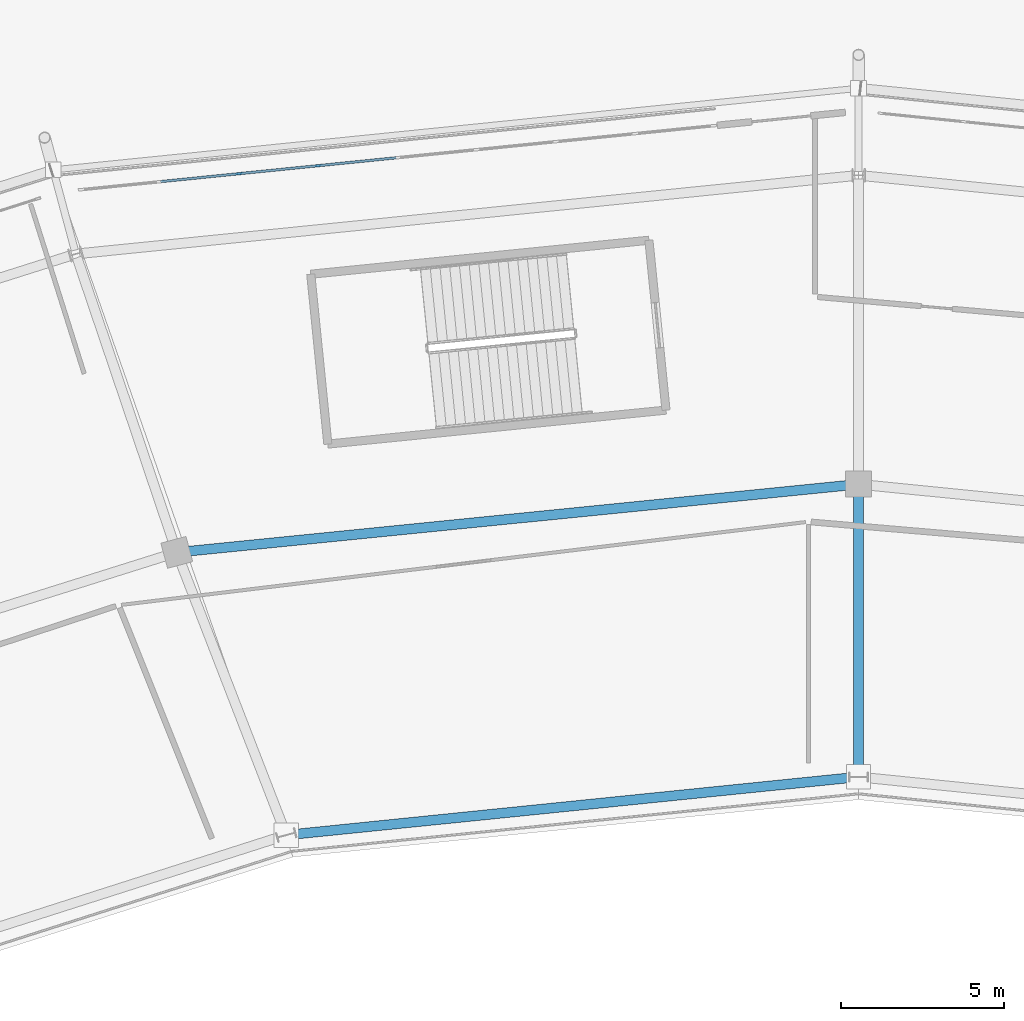
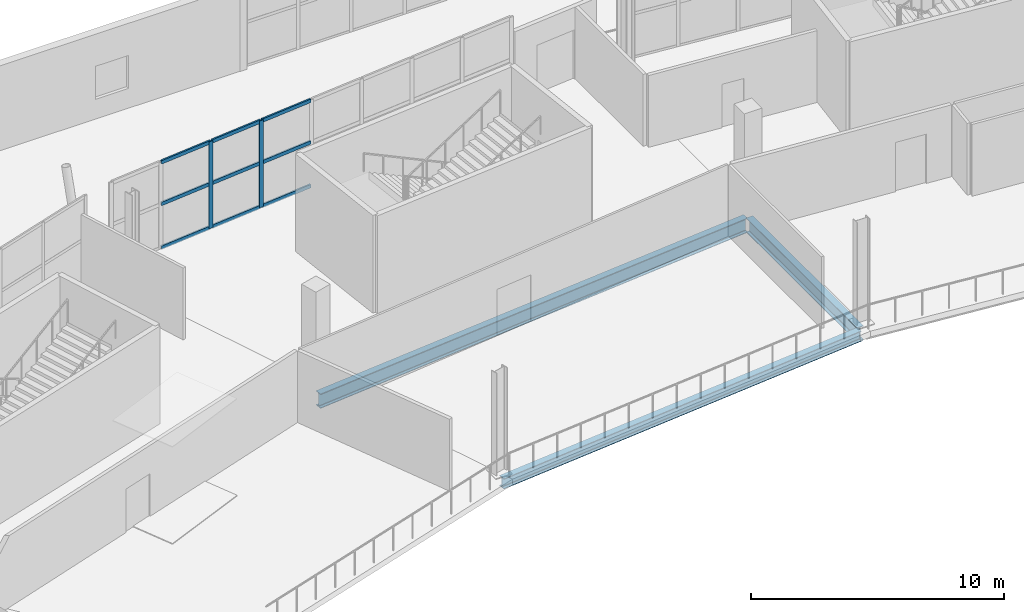
# One storey, part 75 of 179: 11 members, 3 beams, 1 element without a shape of its own.
"""IFC4 building model written with IfcOpenShell, lengths in metres."""

import ifcopenshell
import ifcopenshell.guid

model = None  # the IFC model being written
_history = None  # IfcOwnerHistory: only IFC2X3 demands one
_inside = {}  # id of a spatial element -> (the spatial element, [elements in it])
_under = {}  # id of a project, library or spatial element -> (it, [spatial elements below it])
_declared = {}  # id of a project -> (the project, [libraries it declares])
_typed = {}  # id of a type object -> (the type object, [elements of that type])
_made_of = {}  # id of a material, layer set ... -> (it, [elements and type objects made of it])


def new_model(schema):
    """Start an empty IFC model of exactly this schema.

    Asked for "IFC4X3", IfcOpenShell would pick the latest addendum, in which some entities
    have other attributes; the version numbers below select the first issue.
    IFC2X3 requires an IfcOwnerHistory on every rooted entity: one is made here for all.
    """
    global model, _history
    if schema == "IFC4X3":
        model = ifcopenshell.file(schema_version=(4, 3, 0, 0))
    else:
        model = ifcopenshell.file(schema=schema)
    _inside.clear()
    _under.clear()
    _declared.clear()
    _typed.clear()
    _made_of.clear()
    _history = None
    if model.schema == "IFC2X3":
        org = make("IfcOrganization", Name="unknown")
        user = make(
            "IfcPersonAndOrganization",
            ThePerson=make("IfcPerson", FamilyName="unknown"),
            TheOrganization=org,
        )
        app = make(
            "IfcApplication",
            ApplicationDeveloper=org,
            Version="unknown",
            ApplicationFullName="unknown",
            ApplicationIdentifier="unknown",
        )
        _history = make(
            "IfcOwnerHistory",
            OwningUser=user,
            OwningApplication=app,
            ChangeAction="ADDED",
            CreationDate=0,
        )
    return model


def make(cls, **values):
    """One entity of the class cls with the attributes given. An attribute that is None is left unset."""
    return model.create_entity(
        cls, **{name: value for name, value in values.items() if value is not None}
    )


def rooted(cls, **values):
    """An entity with a GlobalId (a new one), such as an element, a storey or a relation."""
    return make(cls, GlobalId=ifcopenshell.guid.new(), OwnerHistory=_history, **values)


def si_unit(unit_type, name, prefix=None):
    """IfcSIUnit, for example si_unit("LENGTHUNIT", "METRE", prefix="MILLI")."""
    return make("IfcSIUnit", UnitType=unit_type, Prefix=prefix, Name=name)


def assignment(units):
    """IfcUnitAssignment: the units of a project."""
    return None if units is None else make("IfcUnitAssignment", Units=units)


def point(xyz):
    """IfcCartesianPoint."""
    return None if xyz is None else make("IfcCartesianPoint", Coordinates=xyz)


def direction(xyz):
    """IfcDirection."""
    return None if xyz is None else make("IfcDirection", DirectionRatios=xyz)


def frame(location, z_axis=None, x_axis=None):
    """IfcAxis2Placement3D, a coordinate frame: its origin and axes. An axis left out is left unset."""
    return make(
        "IfcAxis2Placement3D",
        Location=point(location),
        Axis=direction(z_axis),
        RefDirection=direction(x_axis),
    )


def frame_2d(location, x_axis=None):
    """IfcAxis2Placement2D, a coordinate frame in the plane: its origin and x axis."""
    return make(
        "IfcAxis2Placement2D", Location=point(location), RefDirection=direction(x_axis)
    )


def origin():
    """The frame at (0, 0, 0) with its axes left unset."""
    return frame((0.0, 0.0, 0.0))


def origin_2d():
    """The frame at (0, 0) in the plane with its x axis left unset."""
    return frame_2d((0.0, 0.0))


def place(relative_to, where):
    """IfcLocalPlacement: puts the frame where relative to a parent placement (None: the world)."""
    return make(
        "IfcLocalPlacement", PlacementRelTo=relative_to, RelativePlacement=where
    )


def context(
    kind, dimensions, precision=None, world=None, true_north=None, identifier=None
):
    """IfcGeometricRepresentationContext, for example the 3D "Model" context."""
    return make(
        "IfcGeometricRepresentationContext",
        ContextIdentifier=identifier,
        ContextType=kind,
        CoordinateSpaceDimension=dimensions,
        Precision=precision,
        WorldCoordinateSystem=world,
        TrueNorth=true_north,
    )


def subcontext(parent, identifier, kind, view, scale=None):
    """IfcGeometricRepresentationSubContext, for example "Body" below "Model"."""
    return make(
        "IfcGeometricRepresentationSubContext",
        ContextIdentifier=identifier,
        ContextType=kind,
        ParentContext=parent,
        TargetScale=scale,
        TargetView=view,
    )


def project(units=None, contexts=None):
    """IfcProject with its units and contexts."""
    return rooted(
        "IfcProject",
        Name="project",
        RepresentationContexts=contexts,
        UnitsInContext=assignment(units),
    )


def spatial(cls, under=None, at=None, **own):
    """A site, building, storey or space (cls), placed at a placement, below another one or the project."""
    s = rooted(cls, ObjectPlacement=at, **own)
    if under is not None:
        _under.setdefault(under.id(), (under, []))[1].append(s)
    return s


def profile(cls, at=None, kind="AREA", **sizes):
    """A parametric profile (cls). Its sizes go by their IFC names, for example OverallWidth=200.0."""
    return make(cls, ProfileType=kind, Position=at, **sizes)


def rectangle(**sizes):
    """IfcRectangleProfileDef."""
    return profile("IfcRectangleProfileDef", **sizes)


def i_section(**sizes):
    """IfcIShapeProfileDef."""
    return profile("IfcIShapeProfileDef", **sizes)


def extrude(swept, where, along, depth):
    """IfcExtrudedAreaSolid: the profile swept, set in the frame where, extruded along a direction by depth."""
    return make(
        "IfcExtrudedAreaSolid",
        SweptArea=swept,
        Position=where,
        ExtrudedDirection=direction(along),
        Depth=depth,
    )


def shape(context_of_items, identifier, shape_type, items):
    """IfcShapeRepresentation: the items that make up one representation, for example the "Body"."""
    return make(
        "IfcShapeRepresentation",
        ContextOfItems=context_of_items,
        RepresentationIdentifier=identifier,
        RepresentationType=shape_type,
        Items=items,
    )


def material(Name=None, Category=None):
    """IfcMaterial."""
    return make("IfcMaterial", Name=Name, Category=Category)


def material_profile(
    of_material, cross_section, Name=None, Category=None, Priority=None
):
    """IfcMaterialProfile: a cross section and its material."""
    return make(
        "IfcMaterialProfile",
        Name=Name,
        Material=of_material,
        Profile=cross_section,
        Priority=Priority,
        Category=Category,
    )


def profile_set(profiles, Name=None, composite=None):
    """IfcMaterialProfileSet."""
    return make(
        "IfcMaterialProfileSet",
        Name=Name,
        MaterialProfiles=profiles,
        CompositeProfile=composite,
    )


def made_of(thing, what):
    """Note that an element or type object is made of a material, layer set ...; save() writes the relation."""
    if what is not None:
        _made_of.setdefault(what.id(), (what, []))[1].append(thing)
    return thing


def type_object(cls, material=None, **own):
    """A type object (cls), such as IfcWallType, which elements share."""
    return made_of(rooted(cls, **own), material)


def element(
    cls,
    number,
    at=None,
    inside=None,
    cuts=None,
    type_object=None,
    material=None,
    context=None,
    identifier="Body",
    shape_type=None,
    held_by="IfcProductDefinitionShape",
    body=None,
    shapes=None,
    **own,
):
    """One element of the class cls, such as IfcWall. Its Tag is "e" and its number.

    at: its placement. inside: the storey or other place that contains it. cuts: it is an
    opening in that element (IfcRelVoidsElement). A single representation is given by context,
    identifier, shape_type and body (its items); several are given by shapes. held_by: the class
    of the entity that holds the representations. save() writes the other relations.
    """
    e = rooted(cls, Tag="e%d" % number, ObjectPlacement=at, **own)
    if body is not None:
        shapes = [shape(context, identifier, shape_type, body)]
    if shapes is not None:
        e.Representation = make(held_by, Representations=shapes)
    if inside is not None:
        _inside.setdefault(inside.id(), (inside, []))[1].append(e)
    if cuts is not None:
        rooted(
            "IfcRelVoidsElement", RelatingBuildingElement=cuts, RelatedOpeningElement=e
        )
    if type_object is not None:
        _typed.setdefault(type_object.id(), (type_object, []))[1].append(e)
    return made_of(e, material)


def aggregate(whole, parts):
    """IfcRelAggregates: a whole, such as a stair, and the parts it consists of."""
    return rooted("IfcRelAggregates", RelatingObject=whole, RelatedObjects=parts)


def save(model, path):
    """Write the relations noted so far, then the file.

    IfcRelAggregates (storeys below a building ...), IfcRelContainedInSpatialStructure (elements
    in a storey), IfcRelDefinesByType, IfcRelAssociatesMaterial and IfcRelDeclares: one each for
    every whole, place, type object, material and project.
    """
    for whole, parts in _under.values():
        aggregate(whole, parts)
    for where, things in _inside.values():
        rooted(
            "IfcRelContainedInSpatialStructure",
            RelatedElements=things,
            RelatingStructure=where,
        )
    for kind, things in _typed.values():
        rooted("IfcRelDefinesByType", RelatedObjects=things, RelatingType=kind)
    for what, things in _made_of.values():
        rooted("IfcRelAssociatesMaterial", RelatedObjects=things, RelatingMaterial=what)
    for by, libraries in _declared.values():
        rooted("IfcRelDeclares", RelatingContext=by, RelatedDefinitions=libraries)
    model.write(path)


model = new_model("IFC4")

# Units and contexts
model_context = context("Model", 3, precision=1e-05, world=origin(), true_north=direction((0.0, 1.0)))
body_context = subcontext(model_context, "Body", "Model", "MODEL_VIEW")
ifc_project = project(units=[si_unit("LENGTHUNIT", "METRE"), si_unit("AREAUNIT", "SQUARE_METRE"), si_unit("VOLUMEUNIT", "CUBIC_METRE"), si_unit("PLANEANGLEUNIT", "RADIAN"), si_unit("MASSUNIT", "GRAM", prefix="KILO")], contexts=[model_context])

# Site, building, storey
site_placement = place(None, origin())
site = spatial("IfcSite", under=ifc_project, at=site_placement, CompositionType="ELEMENT")
building_placement = place(site_placement, origin())
building = spatial("IfcBuilding", under=site, at=building_placement, Name="Zlatoyarsky Gate Stadium", CompositionType="ELEMENT")
storey_placement = place(building_placement, frame((0.0, 0.0, 10.60009765625)))
storey = spatial("IfcBuildingStorey", under=building, at=storey_placement, Name="L02", CompositionType="ELEMENT", Elevation=10.60009765625)

# Curtain wall, members
ifc_material_1 = material(Name="Thermally broken anodised aluminium curtain wall", Category="aluminium")
curtain_wall_type = type_object("IfcCurtainWallType", Name="MONUMENTAL ARCHED GATE GLAZING UPPER", PredefinedType="USERDEFINED", material=ifc_material_1)
curtain_wall_placement = place(storey_placement, origin())
curtain_wall = element("IfcCurtainWall", 1, at=curtain_wall_placement, inside=storey, type_object=curtain_wall_type, Name="Curtain wall CW-L02-06", ObjectType="ARCHED GATE GLAZING", PredefinedType="USERDEFINED")
ifc_material_2 = material(Name="Anodised aluminium 6063-T6", Category="aluminium")
ifc_material_profile_1 = material_profile(ifc_material_2, rectangle(XDim=0.074951171875, YDim=0.18994140625, at=origin_2d()), Name="ALU 75X190")
ifc_profile_set_1 = profile_set([ifc_material_profile_1], Name="Anodised aluminium 6063-T6")
member_type_1 = type_object("IfcMemberType", Name="ALUMINIUM GATE MULLION 75X190", PredefinedType="MULLION", material=ifc_profile_set_1)
member_1_placement = place(storey_placement, frame((94.38037109375, 151.294677734375, 0.0), z_axis=(0.0, 0.0, 1.0), x_axis=(0.100642363208, -0.994922667712, 0.0)))
member_1 = element("IfcMember", 2, at=member_1_placement, type_object=member_type_1, Name="CW-AG2 mullion 6", PredefinedType="MULLION", context=body_context, shape_type="SweptSolid", body=[
    extrude(rectangle(XDim=0.074951171875, YDim=0.18994140625, at=origin_2d()), origin(), (0.0, 0.0, 1.0), 4.199951171875),
])
member_2_placement = place(storey_placement, frame((91.94189453125, 151.048095703125, 0.0), z_axis=(0.0, 0.0, 1.0), x_axis=(0.100642363208, -0.994922667712, 0.0)))
member_2 = element("IfcMember", 3, at=member_2_placement, type_object=member_type_1, Name="CW-AG2 mullion 7", PredefinedType="MULLION", context=body_context, shape_type="SweptSolid", body=[
    extrude(rectangle(XDim=0.074951171875, YDim=0.18994140625, at=origin_2d()), origin(), (0.0, 0.0, 1.0), 4.199951171875),
])
ifc_material_profile_2 = material_profile(ifc_material_2, rectangle(XDim=0.074951171875, YDim=0.169921875, at=origin_2d()), Name="ALU 75X170")
ifc_profile_set_2 = profile_set([ifc_material_profile_2], Name="Anodised aluminium 6063-T6")
member_type_2 = type_object("IfcMemberType", Name="ALUMINIUM GATE TRANSOM 75X170", PredefinedType="USERDEFINED", material=ifc_profile_set_2)
member_3_placement = place(storey_placement, frame((96.781494140625, 151.53759765625, 0.037353515625), z_axis=(-0.994916410424, -0.10070420184, 0.0), x_axis=(0.10070420184, -0.994916410424, 0.0)))
member_3 = element("IfcMember", 4, at=member_3_placement, type_object=member_type_2, Name="CW-AG2 transom 5.1", ObjectType="TRANSOM", PredefinedType="USERDEFINED", context=body_context, shape_type="SweptSolid", body=[
    extrude(rectangle(XDim=0.074951171875, YDim=0.169921875, at=origin_2d()), origin(), (0.0, 0.0, 1.0), 2.375732421875),
])
member_4_placement = place(storey_placement, frame((96.781494140625, 151.53759765625, 2.14990234375), z_axis=(-0.994916410424, -0.10070420184, 0.0), x_axis=(0.10070420184, -0.994916410424, 0.0)))
member_4 = element("IfcMember", 5, at=member_4_placement, type_object=member_type_2, Name="CW-AG2 transom 5.2", ObjectType="TRANSOM", PredefinedType="USERDEFINED", context=body_context, shape_type="SweptSolid", body=[
    extrude(rectangle(XDim=0.074951171875, YDim=0.169921875, at=origin_2d()), origin(), (0.0, 0.0, 1.0), 2.375732421875),
])
member_5_placement = place(storey_placement, frame((96.781494140625, 151.53759765625, 4.162353515625), z_axis=(-0.994916410424, -0.10070420184, 0.0), x_axis=(0.10070420184, -0.994916410424, 0.0)))
member_5 = element("IfcMember", 6, at=member_5_placement, type_object=member_type_2, Name="CW-AG2 transom 5.3", ObjectType="TRANSOM", PredefinedType="USERDEFINED", context=body_context, shape_type="SweptSolid", body=[
    extrude(rectangle(XDim=0.074951171875, YDim=0.169921875, at=origin_2d()), origin(), (0.0, 0.0, 1.0), 2.375732421875),
])
member_6_placement = place(storey_placement, frame((94.343017578125, 151.291015625, 0.037353515625), z_axis=(-0.994916410424, -0.10070420184, 0.0), x_axis=(0.10070420184, -0.994916410424, 0.0)))
member_6 = element("IfcMember", 7, at=member_6_placement, type_object=member_type_2, Name="CW-AG2 transom 6.1", ObjectType="TRANSOM", PredefinedType="USERDEFINED", context=body_context, shape_type="SweptSolid", body=[
    extrude(rectangle(XDim=0.074951171875, YDim=0.169921875, at=origin_2d()), origin(), (0.0, 0.0, 1.0), 2.375732421875),
])
member_7_placement = place(storey_placement, frame((94.343017578125, 151.291015625, 2.14990234375), z_axis=(-0.994916410424, -0.10070420184, 0.0), x_axis=(0.10070420184, -0.994916410424, 0.0)))
member_7 = element("IfcMember", 8, at=member_7_placement, type_object=member_type_2, Name="CW-AG2 transom 6.2", ObjectType="TRANSOM", PredefinedType="USERDEFINED", context=body_context, shape_type="SweptSolid", body=[
    extrude(rectangle(XDim=0.074951171875, YDim=0.169921875, at=origin_2d()), origin(), (0.0, 0.0, 1.0), 2.375732421875),
])
member_8_placement = place(storey_placement, frame((94.343017578125, 151.291015625, 4.162353515625), z_axis=(-0.994916410424, -0.10070420184, 0.0), x_axis=(0.10070420184, -0.994916410424, 0.0)))
member_8 = element("IfcMember", 9, at=member_8_placement, type_object=member_type_2, Name="CW-AG2 transom 6.3", ObjectType="TRANSOM", PredefinedType="USERDEFINED", context=body_context, shape_type="SweptSolid", body=[
    extrude(rectangle(XDim=0.074951171875, YDim=0.169921875, at=origin_2d()), origin(), (0.0, 0.0, 1.0), 2.375732421875),
])
member_9_placement = place(storey_placement, frame((91.90478515625, 151.044189453125, 0.037353515625), z_axis=(-0.994927740892, -0.100592198527, 0.0), x_axis=(0.100592198527, -0.994927740892, 0.0)))
member_9 = element("IfcMember", 10, at=member_9_placement, type_object=member_type_2, Name="CW-AG2 transom 7.1", ObjectType="TRANSOM", PredefinedType="USERDEFINED", context=body_context, shape_type="SweptSolid", body=[
    extrude(rectangle(XDim=0.074951171875, YDim=0.169921875, at=origin_2d()), origin(), (0.0, 0.0, 1.0), 2.3759765625),
])
member_10_placement = place(storey_placement, frame((91.90478515625, 151.044189453125, 2.14990234375), z_axis=(-0.994927740892, -0.100592198527, 0.0), x_axis=(0.100592198527, -0.994927740892, 0.0)))
member_10 = element("IfcMember", 11, at=member_10_placement, type_object=member_type_2, Name="CW-AG2 transom 7.2", ObjectType="TRANSOM", PredefinedType="USERDEFINED", context=body_context, shape_type="SweptSolid", body=[
    extrude(rectangle(XDim=0.074951171875, YDim=0.169921875, at=origin_2d()), origin(), (0.0, 0.0, 1.0), 2.3759765625),
])
member_11_placement = place(storey_placement, frame((91.90478515625, 151.044189453125, 4.162353515625), z_axis=(-0.994927740892, -0.100592198527, 0.0), x_axis=(0.100592198527, -0.994927740892, 0.0)))
member_11 = element("IfcMember", 12, at=member_11_placement, type_object=member_type_2, Name="CW-AG2 transom 7.3", ObjectType="TRANSOM", PredefinedType="USERDEFINED", context=body_context, shape_type="SweptSolid", body=[
    extrude(rectangle(XDim=0.074951171875, YDim=0.169921875, at=origin_2d()), origin(), (0.0, 0.0, 1.0), 2.3759765625),
])
aggregate(curtain_wall, [member_1, member_2, member_3, member_4, member_5, member_6, member_7, member_8, member_9, member_10, member_11])

# Beams
ifc_material_3 = material(Name="Steel S355", Category="steel")
ifc_material_profile_3 = material_profile(ifc_material_3, i_section(OverallWidth=0.300048828125, OverallDepth=0.5, WebThickness=0.014404296875, FlangeThickness=0.028076171875, FilletRadius=0.027099609375, at=origin_2d()), Name="HEB 500")
ifc_profile_set_3 = profile_set([ifc_material_profile_3], Name="Steel S355")
beam_type_1 = type_object("IfcBeamType", Name="STEEL PRIMARY GIRDER HEB 500", PredefinedType="BEAM", material=ifc_profile_set_3)
beam_1_placement = place(storey_placement, frame((110.880615234375, 132.48779296875, -0.530029296875), z_axis=(-0.994873800639, -0.101124283941, 0.0), x_axis=(0.101124283941, -0.994873800639, 0.0)))
element("IfcBeam", 13, at=beam_1_placement, inside=storey, type_object=beam_type_1, Name="Beam G-HEB500 BM-L02-CRA-06", PredefinedType="BEAM", context=body_context, shape_type="SweptSolid", body=[
    extrude(i_section(OverallWidth=0.300048828125, OverallDepth=0.5, WebThickness=0.014404296875, FlangeThickness=0.028076171875, FilletRadius=0.027099609375, at=origin_2d()), origin(), (0.0, 0.0, 1.0), 17.4501953125),
])
ifc_material_profile_4 = material_profile(ifc_material_3, i_section(OverallWidth=0.300048828125, OverallDepth=0.699951171875, WebThickness=0.01708984375, FlangeThickness=0.031982421875, FilletRadius=0.027099609375, at=origin_2d()), Name="HEB 700")
ifc_profile_set_4 = profile_set([ifc_material_profile_4], Name="Steel S355")
beam_type_2 = type_object("IfcBeamType", Name="STEEL PRIMARY GIRDER HEB 700", PredefinedType="BEAM", material=ifc_profile_set_4)
beam_2_placement = place(storey_placement, frame((111.0, 132.6201171875, -0.630126953125), z_axis=(0.0, 1.0, 0.0), x_axis=(-1.0, 0.0, 0.0)))
element("IfcBeam", 14, at=beam_2_placement, inside=storey, type_object=beam_type_2, Name="Beam G-HEB700 BM-L02-RAB-06", PredefinedType="BEAM", context=body_context, shape_type="SweptSolid", body=[
    extrude(i_section(OverallWidth=0.300048828125, OverallDepth=0.699951171875, WebThickness=0.01708984375, FlangeThickness=0.031982421875, FilletRadius=0.027099609375, at=origin_2d()), origin(), (0.0, 0.0, 1.0), 8.759765625),
])
beam_3_placement = place(storey_placement, frame((110.880615234375, 141.488037109375, -0.630126953125), z_axis=(-0.995040903182, -0.099466582298, 0.0), x_axis=(0.099466582298, -0.995040903182, 0.0)))
element("IfcBeam", 15, at=beam_3_placement, inside=storey, type_object=beam_type_2, Name="Beam G-HEB700 BM-L02-CRB-06", PredefinedType="BEAM", context=body_context, shape_type="SweptSolid", body=[
    extrude(i_section(OverallWidth=0.300048828125, OverallDepth=0.699951171875, WebThickness=0.01708984375, FlangeThickness=0.031982421875, FilletRadius=0.027099609375, at=origin_2d()), origin(), (0.0, 0.0, 1.0), 20.828857421875),
])

save(model, "model.ifc")
